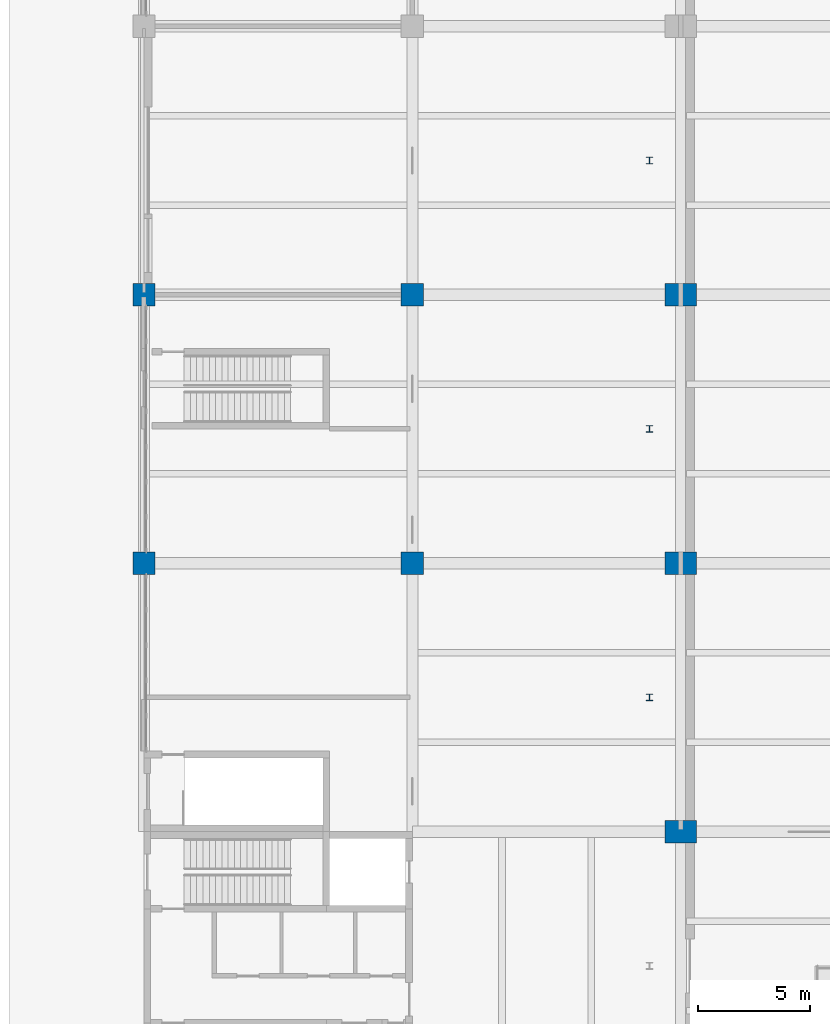
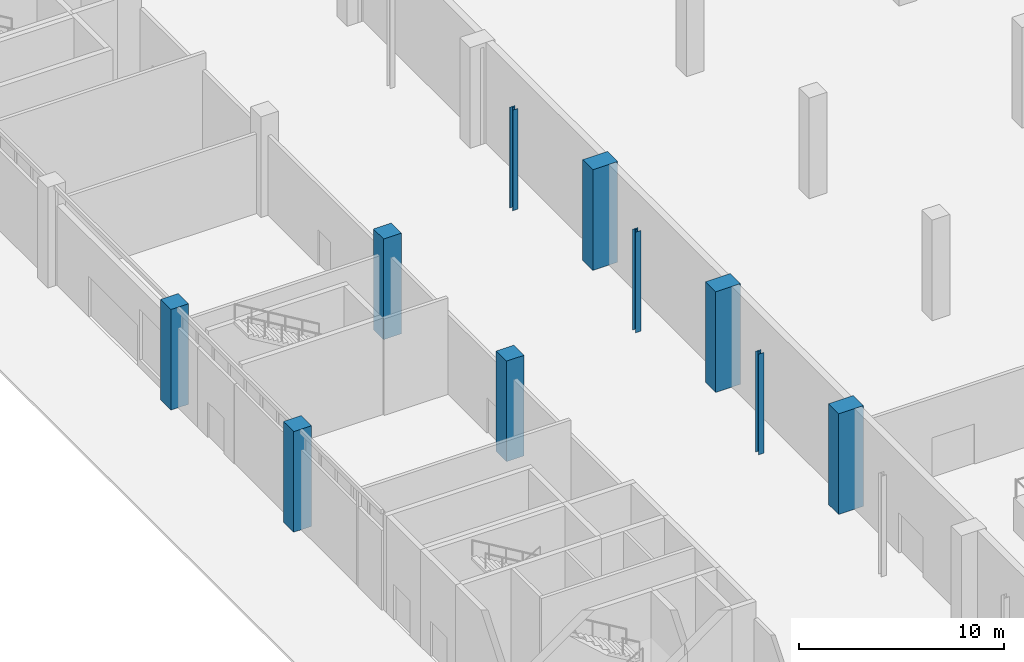
# One storey, part 9 of 59: 10 columns.
"""IFC4 building model written with IfcOpenShell, lengths in metres."""

from ifc_helpers import new_model, si_unit, direction, frame, origin, origin_2d, place, context, subcontext, project, spatial, rectangle, i_section, extrude, material, material_profile, profile_set, type_object, element, save


model = new_model("IFC4")

# Units and contexts
model_context = context("Model", 3, precision=1e-05, world=origin(), true_north=direction((0.0, 1.0)))
body_context = subcontext(model_context, "Body", "Model", "MODEL_VIEW")
ifc_project = project(units=[si_unit("LENGTHUNIT", "METRE"), si_unit("AREAUNIT", "SQUARE_METRE"), si_unit("VOLUMEUNIT", "CUBIC_METRE"), si_unit("PLANEANGLEUNIT", "RADIAN"), si_unit("MASSUNIT", "GRAM", prefix="KILO")], contexts=[model_context])

# Site, building, storey
site_placement = place(None, origin())
site = spatial("IfcSite", under=ifc_project, at=site_placement, CompositionType="ELEMENT")
building_placement = place(site_placement, origin())
building = spatial("IfcBuilding", under=site, at=building_placement, Name="Lilac Gate Convention Centre", CompositionType="ELEMENT")
storey_placement = place(building_placement, origin())
storey = spatial("IfcBuildingStorey", under=building, at=storey_placement, Name="L00", CompositionType="ELEMENT", Elevation=0.0)

# Columns
ifc_material_1 = material(Name="Concrete C40", Category="concrete")
ifc_material_profile_1 = material_profile(ifc_material_1, rectangle(XDim=1.0, YDim=1.0, at=origin_2d()), Name="RC 1000x1000")
ifc_profile_set_1 = profile_set([ifc_material_profile_1], Name="Concrete C40")
column_type_1 = type_object("IfcColumnType", Name="RC column 1000x1000 C40", PredefinedType="COLUMN", material=ifc_profile_set_1)
for number, where, z_axis, x_axis, name in (
    (1, (6.0, 174.0, 0.0), (0.0, 0.0, 1.0), (1.0, 0.0, 0.0), "C1 L00 at 1/N"),
    (2, (6.0, 186.0, 0.0), (0.0, 0.0, 1.0), (1.0, 0.0, 0.0), "C1 L00 at 1/P"),
    (3, (18.0, 174.0, 0.0), (0.0, 0.0, 1.0), (1.0, 0.0, 0.0), "C1 L00 at 2/N"),
    (4, (18.0, 186.0, 0.0), (0.0, 0.0, 1.0), (1.0, 0.0, 0.0), "C1 L00 at 2/P"),
):
    element("IfcColumn", number, at=place(storey_placement, frame(where, z_axis=z_axis, x_axis=x_axis)), inside=storey, type_object=column_type_1, Name=name, PredefinedType="COLUMN", context=body_context, shape_type="SweptSolid", body=[
        extrude(rectangle(XDim=1.0, YDim=1.0, at=origin_2d()), origin(), (0.0, 0.0, 1.0), 6.0),
    ])
ifc_material_profile_2 = material_profile(ifc_material_1, rectangle(XDim=1.39990234375, YDim=1.0, at=origin_2d()), Name="RC 1400x1000")
ifc_profile_set_2 = profile_set([ifc_material_profile_2], Name="Concrete C40")
column_type_2 = type_object("IfcColumnType", Name="RC hall column 1400x1000 C40", PredefinedType="COLUMN", material=ifc_profile_set_2)
for number, where, z_axis, x_axis, name in (
    (5, (30.0, 162.0, 0.0), (0.0, 0.0, 1.0), (1.0, 0.0, 0.0), "C2 L00 at 3/M"),
    (6, (30.0, 174.0, 0.0), (0.0, 0.0, 1.0), (1.0, 0.0, 0.0), "C2 L00 at 3/N"),
    (7, (30.0, 186.0, 0.0), (0.0, 0.0, 1.0), (1.0, 0.0, 0.0), "C2 L00 at 3/P"),
):
    element("IfcColumn", number, at=place(storey_placement, frame(where, z_axis=z_axis, x_axis=x_axis)), inside=storey, type_object=column_type_2, Name=name, PredefinedType="COLUMN", context=body_context, shape_type="SweptSolid", body=[
        extrude(rectangle(XDim=1.39990234375, YDim=1.0, at=origin_2d()), origin(), (0.0, 0.0, 1.0), 6.0),
    ])
ifc_material_2 = material(Name="Steel Q355B", Category="steel")
ifc_material_profile_3 = material_profile(ifc_material_2, i_section(OverallWidth=0.300048828125, OverallDepth=0.300048828125, WebThickness=0.010009765625, FlangeThickness=0.014892578125, FilletRadius=0.012939453125, at=origin_2d()), Name="HW300x300x10x15")
ifc_profile_set_3 = profile_set([ifc_material_profile_3], Name="Steel Q355B")
column_type_3 = type_object("IfcColumnType", Name="Steel column HW300x300x10x15", PredefinedType="COLUMN", material=ifc_profile_set_3)
for number, where, z_axis, x_axis, name in (
    (8, (28.60009765625, 168.0, 0.0), (0.0, 0.0, 1.0), (1.0, 0.0, 0.0), "SC1 L00 atrium column at 168"),
    (9, (28.60009765625, 180.0, 0.0), (0.0, 0.0, 1.0), (1.0, 0.0, 0.0), "SC1 L00 atrium column at 180"),
    (10, (28.60009765625, 192.0, 0.0), (0.0, 0.0, 1.0), (1.0, 0.0, 0.0), "SC1 L00 atrium column at 192"),
):
    element("IfcColumn", number, at=place(storey_placement, frame(where, z_axis=z_axis, x_axis=x_axis)), inside=storey, type_object=column_type_3, Name=name, PredefinedType="COLUMN", context=body_context, shape_type="SweptSolid", body=[
        extrude(i_section(OverallWidth=0.300048828125, OverallDepth=0.300048828125, WebThickness=0.010009765625, FlangeThickness=0.014892578125, FilletRadius=0.012939453125, at=origin_2d()), origin(), (0.0, 0.0, 1.0), 6.0),
    ])

save(model, "model.ifc")
